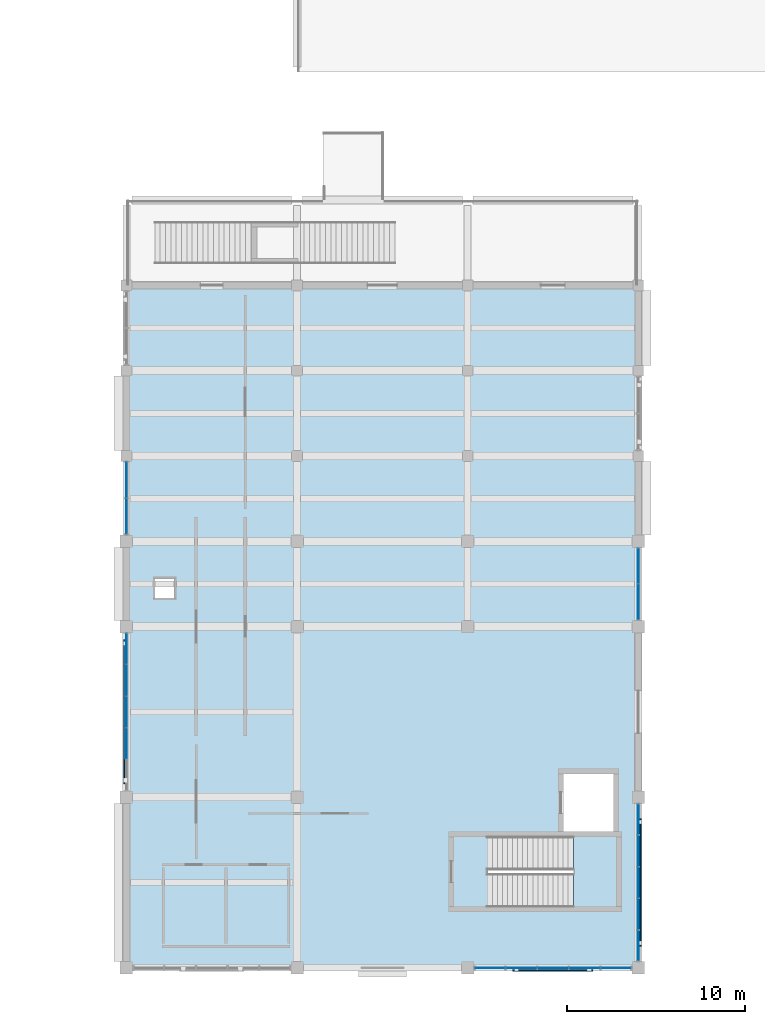
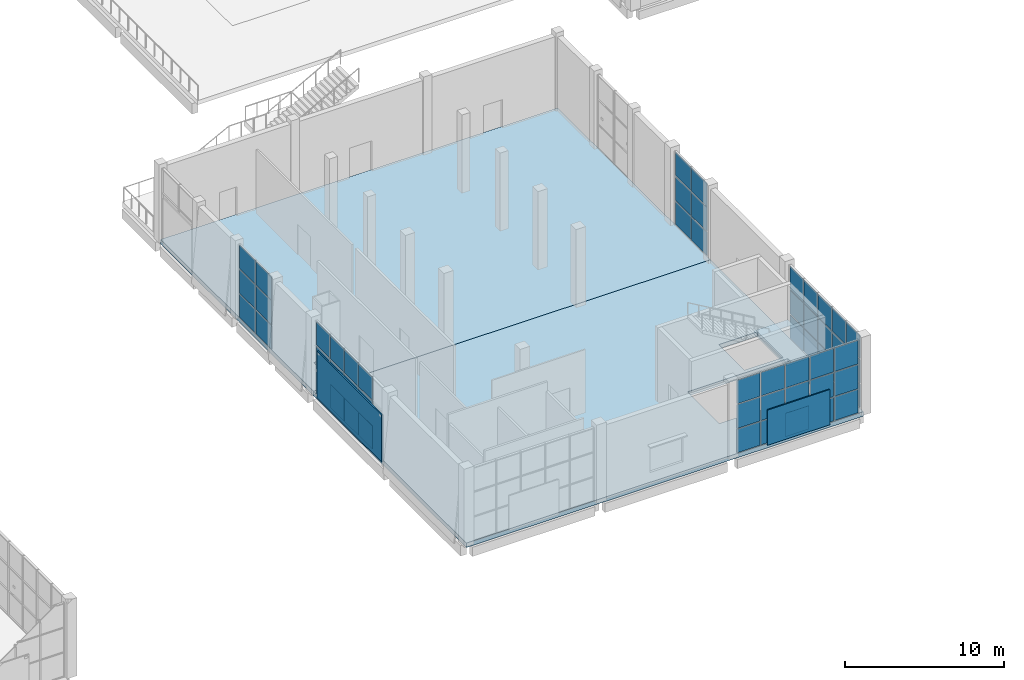
# One storey, part 43 of 84: 57 plates, 3 slabs, 6 elements without a shape of their own.
"""IFC4 building model written with IfcOpenShell, lengths in metres."""

from ifc_helpers import new_model, si_unit, direction, frame, origin, origin_2d, place, context, subcontext, project, spatial, polyline, rectangle, outline, extrude, material, layer, layer_set, type_object, element, aggregate, save


model = new_model("IFC4")

# Units and contexts
model_context = context("Model", 3, precision=1e-05, world=origin(), true_north=direction((0.0, 1.0)))
body_context = subcontext(model_context, "Body", "Model", "MODEL_VIEW")
ifc_project = project(units=[si_unit("LENGTHUNIT", "METRE"), si_unit("AREAUNIT", "SQUARE_METRE"), si_unit("VOLUMEUNIT", "CUBIC_METRE"), si_unit("PLANEANGLEUNIT", "RADIAN"), si_unit("MASSUNIT", "GRAM", prefix="KILO")], contexts=[model_context])

# Site, building, storey
site_placement = place(None, origin())
site = spatial("IfcSite", under=ifc_project, at=site_placement, CompositionType="ELEMENT")
building_placement = place(site_placement, origin())
building = spatial("IfcBuilding", under=site, at=building_placement, Name="Shalvenor Court Art Gallery", CompositionType="ELEMENT")
storey_placement = place(building_placement, origin())
storey = spatial("IfcBuildingStorey", under=building, at=storey_placement, Name="L00", CompositionType="ELEMENT", Elevation=0.0)

# Curtain wall, plates
ifc_material_1 = material(Name="Anodised aluminium and low-iron glass curtain wall", Category="aluminium")
curtain_wall_type_1 = type_object("IfcCurtainWallType", Name="CW-2x3-41-57-622", PredefinedType="USERDEFINED", material=ifc_material_1)
curtain_wall_1_placement = place(storey_placement, origin())
curtain_wall_1 = element("IfcCurtainWall", 1, at=curtain_wall_1_placement, inside=storey, type_object=curtain_wall_type_1, Name="L00 V3 Curtain Wall CW-L00-091", ObjectType="CURTAIN WALL", PredefinedType="USERDEFINED")
ifc_material_2 = material(Name="Low-iron triple-silver solar gallery glazing IGU", Category="glass")
ifc_layer_1 = layer(ifc_material_2, 0.031982421875, Name="Low-iron triple-silver solar gallery glazing IGU")
ifc_layer_set_1 = layer_set([ifc_layer_1], Name="Low-iron triple-silver solar gallery glazing IGU")
plate_type_1 = type_object("IfcPlateType", Name="CWP-02", PredefinedType="CURTAIN_PANEL", material=ifc_layer_set_1)
plate_1_placement = place(storey_placement, frame((124.800048828125, 22.611328125, 0.06494140625), z_axis=(0.0, 0.0, 1.0), x_axis=(0.0, -1.0, 0.0)))
plate_1 = element("IfcPlate", 2, at=plate_1_placement, type_object=plate_type_1, Name="CW-2x3-41-57-622 panel 1.1", PredefinedType="CURTAIN_PANEL", context=body_context, shape_type="SweptSolid", body=[
    extrude(rectangle(XDim=1.967529296875, YDim=0.031982421875, at=origin_2d()), origin(), (0.0, 0.0, 1.0), 1.7958984375),
])
plate_2_placement = place(storey_placement, frame((124.800048828125, 22.611328125, 1.92578125), z_axis=(0.0, 0.0, 1.0), x_axis=(0.0, -1.0, 0.0)))
plate_2 = element("IfcPlate", 3, at=plate_2_placement, type_object=plate_type_1, Name="CW-2x3-41-57-622 panel 1.2", PredefinedType="CURTAIN_PANEL", context=body_context, shape_type="SweptSolid", body=[
    extrude(rectangle(XDim=1.967529296875, YDim=0.031982421875, at=origin_2d()), origin(), (0.0, 0.0, 1.0), 1.828369140625),
])
plate_3_placement = place(storey_placement, frame((124.800048828125, 22.611328125, 3.819091796875), z_axis=(0.0, 0.0, 1.0), x_axis=(0.0, -1.0, 0.0)))
plate_3 = element("IfcPlate", 4, at=plate_3_placement, type_object=plate_type_1, Name="CW-2x3-41-57-622 panel 1.3", PredefinedType="CURTAIN_PANEL", context=body_context, shape_type="SweptSolid", body=[
    extrude(rectangle(XDim=1.967529296875, YDim=0.031982421875, at=origin_2d()), origin(), (0.0, 0.0, 1.0), 1.7958984375),
])
plate_4_placement = place(storey_placement, frame((124.800048828125, 20.5888671875, 0.06494140625), z_axis=(0.0, 0.0, 1.0), x_axis=(0.0, -1.0, 0.0)))
plate_4 = element("IfcPlate", 5, at=plate_4_placement, type_object=plate_type_1, Name="CW-2x3-41-57-622 panel 2.1", PredefinedType="CURTAIN_PANEL", context=body_context, shape_type="SweptSolid", body=[
    extrude(rectangle(XDim=1.967529296875, YDim=0.031982421875, at=origin_2d()), origin(), (0.0, 0.0, 1.0), 1.7958984375),
])
plate_5_placement = place(storey_placement, frame((124.800048828125, 20.5888671875, 1.92578125), z_axis=(0.0, 0.0, 1.0), x_axis=(0.0, -1.0, 0.0)))
plate_5 = element("IfcPlate", 6, at=plate_5_placement, type_object=plate_type_1, Name="CW-2x3-41-57-622 panel 2.2", PredefinedType="CURTAIN_PANEL", context=body_context, shape_type="SweptSolid", body=[
    extrude(rectangle(XDim=1.967529296875, YDim=0.031982421875, at=origin_2d()), origin(), (0.0, 0.0, 1.0), 1.828369140625),
])
plate_6_placement = place(storey_placement, frame((124.800048828125, 20.5888671875, 3.819091796875), z_axis=(0.0, 0.0, 1.0), x_axis=(0.0, -1.0, 0.0)))
plate_6 = element("IfcPlate", 7, at=plate_6_placement, type_object=plate_type_1, Name="CW-2x3-41-57-622 panel 2.3", PredefinedType="CURTAIN_PANEL", context=body_context, shape_type="SweptSolid", body=[
    extrude(rectangle(XDim=1.967529296875, YDim=0.031982421875, at=origin_2d()), origin(), (0.0, 0.0, 1.0), 1.7958984375),
])
aggregate(curtain_wall_1, [plate_1, plate_2, plate_3, plate_4, plate_5, plate_6])

ifc_material_3 = material(Name="Anodised aluminium and low-iron glass curtain wall", Category="aluminium")
curtain_wall_type_2 = type_object("IfcCurtainWallType", Name="CW-5x3-89-57-142", PredefinedType="USERDEFINED", material=ifc_material_3)
curtain_wall_2_placement = place(storey_placement, origin())
curtain_wall_2 = element("IfcCurtainWall", 8, at=curtain_wall_2_placement, inside=storey, type_object=curtain_wall_type_2, Name="L00 V3 Curtain Wall CW-L00-092", ObjectType="CURTAIN WALL", PredefinedType="USERDEFINED")
plate_7_placement = place(storey_placement, frame((124.800048828125, 8.34375, 0.06982421875), z_axis=(0.0, 0.0, 1.0), x_axis=(0.0, -1.0, 0.0)))
plate_7 = element("IfcPlate", 9, at=plate_7_placement, type_object=plate_type_1, Name="CW-5x3-89-57-142 panel 1.1", PredefinedType="CURTAIN_PANEL", context=body_context, shape_type="SweptSolid", body=[
    extrude(rectangle(XDim=1.6826171875, YDim=0.031982421875, at=origin_2d()), origin(), (0.0, 0.0, 1.0), 1.788330078125),
])
plate_8_placement = place(storey_placement, frame((124.800048828125, 8.34375, 1.928466796875), z_axis=(0.0, 0.0, 1.0), x_axis=(0.0, -1.0, 0.0)))
plate_8 = element("IfcPlate", 10, at=plate_8_placement, type_object=plate_type_1, Name="CW-5x3-89-57-142 panel 1.2", PredefinedType="CURTAIN_PANEL", context=body_context, shape_type="SweptSolid", body=[
    extrude(rectangle(XDim=1.6826171875, YDim=0.031982421875, at=origin_2d()), origin(), (0.0, 0.0, 1.0), 1.8232421875),
])
plate_9_placement = place(storey_placement, frame((124.800048828125, 8.34375, 3.82177734375), z_axis=(0.0, 0.0, 1.0), x_axis=(0.0, -1.0, 0.0)))
plate_9 = element("IfcPlate", 11, at=plate_9_placement, type_object=plate_type_1, Name="CW-5x3-89-57-142 panel 1.3", PredefinedType="CURTAIN_PANEL", context=body_context, shape_type="SweptSolid", body=[
    extrude(rectangle(XDim=1.6826171875, YDim=0.031982421875, at=origin_2d()), origin(), (0.0, 0.0, 1.0), 1.788330078125),
])
plate_10_placement = place(storey_placement, frame((124.800048828125, 6.580078125, 0.06982421875), z_axis=(0.0, 0.0, 1.0), x_axis=(0.0, -1.0, 0.0)))
plate_10 = element("IfcPlate", 12, at=plate_10_placement, type_object=plate_type_1, Name="CW-5x3-89-57-142 panel 2.1", PredefinedType="CURTAIN_PANEL", context=body_context, shape_type="SweptSolid", body=[
    extrude(rectangle(XDim=1.715087890625, YDim=0.031982421875, at=origin_2d()), origin(), (0.0, 0.0, 1.0), 1.788330078125),
])
plate_11_placement = place(storey_placement, frame((124.800048828125, 6.580078125, 1.928466796875), z_axis=(0.0, 0.0, 1.0), x_axis=(0.0, -1.0, 0.0)))
plate_11 = element("IfcPlate", 13, at=plate_11_placement, type_object=plate_type_1, Name="CW-5x3-89-57-142 panel 2.2", PredefinedType="CURTAIN_PANEL", context=body_context, shape_type="SweptSolid", body=[
    extrude(rectangle(XDim=1.715087890625, YDim=0.031982421875, at=origin_2d()), origin(), (0.0, 0.0, 1.0), 1.8232421875),
])
plate_12_placement = place(storey_placement, frame((124.800048828125, 6.580078125, 3.82177734375), z_axis=(0.0, 0.0, 1.0), x_axis=(0.0, -1.0, 0.0)))
plate_12 = element("IfcPlate", 14, at=plate_12_placement, type_object=plate_type_1, Name="CW-5x3-89-57-142 panel 2.3", PredefinedType="CURTAIN_PANEL", context=body_context, shape_type="SweptSolid", body=[
    extrude(rectangle(XDim=1.715087890625, YDim=0.031982421875, at=origin_2d()), origin(), (0.0, 0.0, 1.0), 1.788330078125),
])
plate_13_placement = place(storey_placement, frame((124.800048828125, 4.800048828125, 0.06982421875), z_axis=(0.0, 0.0, 1.0), x_axis=(0.0, -1.0, 0.0)))
plate_13 = element("IfcPlate", 15, at=plate_13_placement, type_object=plate_type_1, Name="CW-5x3-89-57-142 panel 3.1", PredefinedType="CURTAIN_PANEL", context=body_context, shape_type="SweptSolid", body=[
    extrude(rectangle(XDim=1.715087890625, YDim=0.031982421875, at=origin_2d()), origin(), (0.0, 0.0, 1.0), 1.788330078125),
])
plate_14_placement = place(storey_placement, frame((124.800048828125, 4.800048828125, 1.928466796875), z_axis=(0.0, 0.0, 1.0), x_axis=(0.0, -1.0, 0.0)))
plate_14 = element("IfcPlate", 16, at=plate_14_placement, type_object=plate_type_1, Name="CW-5x3-89-57-142 panel 3.2", PredefinedType="CURTAIN_PANEL", context=body_context, shape_type="SweptSolid", body=[
    extrude(rectangle(XDim=1.715087890625, YDim=0.031982421875, at=origin_2d()), origin(), (0.0, 0.0, 1.0), 1.8232421875),
])
plate_15_placement = place(storey_placement, frame((124.800048828125, 4.800048828125, 3.82177734375), z_axis=(0.0, 0.0, 1.0), x_axis=(0.0, -1.0, 0.0)))
plate_15 = element("IfcPlate", 17, at=plate_15_placement, type_object=plate_type_1, Name="CW-5x3-89-57-142 panel 3.3", PredefinedType="CURTAIN_PANEL", context=body_context, shape_type="SweptSolid", body=[
    extrude(rectangle(XDim=1.715087890625, YDim=0.031982421875, at=origin_2d()), origin(), (0.0, 0.0, 1.0), 1.788330078125),
])
plate_16_placement = place(storey_placement, frame((124.800048828125, 3.02001953125, 0.06982421875), z_axis=(0.0, 0.0, 1.0), x_axis=(0.0, -1.0, 0.0)))
plate_16 = element("IfcPlate", 18, at=plate_16_placement, type_object=plate_type_1, Name="CW-5x3-89-57-142 panel 4.1", PredefinedType="CURTAIN_PANEL", context=body_context, shape_type="SweptSolid", body=[
    extrude(rectangle(XDim=1.715087890625, YDim=0.031982421875, at=origin_2d()), origin(), (0.0, 0.0, 1.0), 1.788330078125),
])
plate_17_placement = place(storey_placement, frame((124.800048828125, 3.02001953125, 1.928466796875), z_axis=(0.0, 0.0, 1.0), x_axis=(0.0, -1.0, 0.0)))
plate_17 = element("IfcPlate", 19, at=plate_17_placement, type_object=plate_type_1, Name="CW-5x3-89-57-142 panel 4.2", PredefinedType="CURTAIN_PANEL", context=body_context, shape_type="SweptSolid", body=[
    extrude(rectangle(XDim=1.715087890625, YDim=0.031982421875, at=origin_2d()), origin(), (0.0, 0.0, 1.0), 1.8232421875),
])
plate_18_placement = place(storey_placement, frame((124.800048828125, 3.02001953125, 3.82177734375), z_axis=(0.0, 0.0, 1.0), x_axis=(0.0, -1.0, 0.0)))
plate_18 = element("IfcPlate", 20, at=plate_18_placement, type_object=plate_type_1, Name="CW-5x3-89-57-142 panel 4.3", PredefinedType="CURTAIN_PANEL", context=body_context, shape_type="SweptSolid", body=[
    extrude(rectangle(XDim=1.715087890625, YDim=0.031982421875, at=origin_2d()), origin(), (0.0, 0.0, 1.0), 1.788330078125),
])
plate_19_placement = place(storey_placement, frame((124.800048828125, 1.25634765625, 0.06982421875), z_axis=(0.0, 0.0, 1.0), x_axis=(0.0, -1.0, 0.0)))
plate_19 = element("IfcPlate", 21, at=plate_19_placement, type_object=plate_type_1, Name="CW-5x3-89-57-142 panel 5.1", PredefinedType="CURTAIN_PANEL", context=body_context, shape_type="SweptSolid", body=[
    extrude(rectangle(XDim=1.6826171875, YDim=0.031982421875, at=origin_2d()), origin(), (0.0, 0.0, 1.0), 1.788330078125),
])
plate_20_placement = place(storey_placement, frame((124.800048828125, 1.25634765625, 1.928466796875), z_axis=(0.0, 0.0, 1.0), x_axis=(0.0, -1.0, 0.0)))
plate_20 = element("IfcPlate", 22, at=plate_20_placement, type_object=plate_type_1, Name="CW-5x3-89-57-142 panel 5.2", PredefinedType="CURTAIN_PANEL", context=body_context, shape_type="SweptSolid", body=[
    extrude(rectangle(XDim=1.6826171875, YDim=0.031982421875, at=origin_2d()), origin(), (0.0, 0.0, 1.0), 1.8232421875),
])
plate_21_placement = place(storey_placement, frame((124.800048828125, 1.25634765625, 3.82177734375), z_axis=(0.0, 0.0, 1.0), x_axis=(0.0, -1.0, 0.0)))
plate_21 = element("IfcPlate", 23, at=plate_21_placement, type_object=plate_type_1, Name="CW-5x3-89-57-142 panel 5.3", PredefinedType="CURTAIN_PANEL", context=body_context, shape_type="SweptSolid", body=[
    extrude(rectangle(XDim=1.6826171875, YDim=0.031982421875, at=origin_2d()), origin(), (0.0, 0.0, 1.0), 1.788330078125),
])
aggregate(curtain_wall_2, [plate_7, plate_8, plate_9, plate_10, plate_11, plate_12, plate_13, plate_14, plate_15, plate_16, plate_17, plate_18, plate_19, plate_20, plate_21])

ifc_material_4 = material(Name="Anodised aluminium and low-iron glass curtain wall", Category="aluminium")
curtain_wall_type_3 = type_object("IfcCurtainWallType", Name="CW-5x3-89-57-212", PredefinedType="USERDEFINED", material=ifc_material_4)
curtain_wall_3_placement = place(storey_placement, origin())
curtain_wall_3 = element("IfcCurtainWall", 24, at=curtain_wall_3_placement, inside=storey, type_object=curtain_wall_type_3, Name="L00 V3 Curtain Wall CW-L00-093", ObjectType="CURTAIN WALL", PredefinedType="USERDEFINED")
plate_22_placement = place(storey_placement, frame((123.54248046875, 0.0, 0.06005859375), z_axis=(0.0, 0.0, 1.0), x_axis=(-1.0, 0.0, 0.0)))
plate_22 = element("IfcPlate", 25, at=plate_22_placement, type_object=plate_type_1, Name="CW-5x3-89-57-212 panel 1.1", PredefinedType="CURTAIN_PANEL", context=body_context, shape_type="SweptSolid", body=[
    extrude(rectangle(XDim=1.675048828125, YDim=0.031982421875, at=origin_2d()), origin(), (0.0, 0.0, 1.0), 1.80322265625),
])
plate_23_placement = place(storey_placement, frame((123.54248046875, 0.0, 1.92333984375), z_axis=(0.0, 0.0, 1.0), x_axis=(-1.0, 0.0, 0.0)))
plate_23 = element("IfcPlate", 26, at=plate_23_placement, type_object=plate_type_1, Name="CW-5x3-89-57-212 panel 1.2", PredefinedType="CURTAIN_PANEL", context=body_context, shape_type="SweptSolid", body=[
    extrude(rectangle(XDim=1.675048828125, YDim=0.031982421875, at=origin_2d()), origin(), (0.0, 0.0, 1.0), 1.833251953125),
])
plate_24_placement = place(storey_placement, frame((123.54248046875, 0.0, 3.816650390625), z_axis=(0.0, 0.0, 1.0), x_axis=(-1.0, 0.0, 0.0)))
plate_24 = element("IfcPlate", 27, at=plate_24_placement, type_object=plate_type_1, Name="CW-5x3-89-57-212 panel 1.3", PredefinedType="CURTAIN_PANEL", context=body_context, shape_type="SweptSolid", body=[
    extrude(rectangle(XDim=1.675048828125, YDim=0.031982421875, at=origin_2d()), origin(), (0.0, 0.0, 1.0), 1.80322265625),
])
plate_25_placement = place(storey_placement, frame((121.780029296875, 0.0, 0.06005859375), z_axis=(0.0, 0.0, 1.0), x_axis=(-1.0, 0.0, 0.0)))
plate_25 = element("IfcPlate", 28, at=plate_25_placement, type_object=plate_type_1, Name="CW-5x3-89-57-212 panel 2.1", PredefinedType="CURTAIN_PANEL", context=body_context, shape_type="SweptSolid", body=[
    extrude(rectangle(XDim=1.7099609375, YDim=0.031982421875, at=origin_2d()), origin(), (0.0, 0.0, 1.0), 1.80322265625),
])
plate_26_placement = place(storey_placement, frame((121.780029296875, 0.0, 1.92333984375), z_axis=(0.0, 0.0, 1.0), x_axis=(-1.0, 0.0, 0.0)))
plate_26 = element("IfcPlate", 29, at=plate_26_placement, type_object=plate_type_1, Name="CW-5x3-89-57-212 panel 2.2", PredefinedType="CURTAIN_PANEL", context=body_context, shape_type="SweptSolid", body=[
    extrude(rectangle(XDim=1.7099609375, YDim=0.031982421875, at=origin_2d()), origin(), (0.0, 0.0, 1.0), 1.833251953125),
])
plate_27_placement = place(storey_placement, frame((121.780029296875, 0.0, 3.816650390625), z_axis=(0.0, 0.0, 1.0), x_axis=(-1.0, 0.0, 0.0)))
plate_27 = element("IfcPlate", 30, at=plate_27_placement, type_object=plate_type_1, Name="CW-5x3-89-57-212 panel 2.3", PredefinedType="CURTAIN_PANEL", context=body_context, shape_type="SweptSolid", body=[
    extrude(rectangle(XDim=1.7099609375, YDim=0.031982421875, at=origin_2d()), origin(), (0.0, 0.0, 1.0), 1.80322265625),
])
plate_28_placement = place(storey_placement, frame((120.0, 0.0, 0.06005859375), z_axis=(0.0, 0.0, 1.0), x_axis=(-1.0, 0.0, 0.0)))
plate_28 = element("IfcPlate", 31, at=plate_28_placement, type_object=plate_type_1, Name="CW-5x3-89-57-212 panel 3.1", PredefinedType="CURTAIN_PANEL", context=body_context, shape_type="SweptSolid", body=[
    extrude(rectangle(XDim=1.7099609375, YDim=0.031982421875, at=origin_2d()), origin(), (0.0, 0.0, 1.0), 1.80322265625),
])
plate_29_placement = place(storey_placement, frame((120.0, 0.0, 1.92333984375), z_axis=(0.0, 0.0, 1.0), x_axis=(-1.0, 0.0, 0.0)))
plate_29 = element("IfcPlate", 32, at=plate_29_placement, type_object=plate_type_1, Name="CW-5x3-89-57-212 panel 3.2", PredefinedType="CURTAIN_PANEL", context=body_context, shape_type="SweptSolid", body=[
    extrude(rectangle(XDim=1.7099609375, YDim=0.031982421875, at=origin_2d()), origin(), (0.0, 0.0, 1.0), 1.833251953125),
])
plate_30_placement = place(storey_placement, frame((120.0, 0.0, 3.816650390625), z_axis=(0.0, 0.0, 1.0), x_axis=(-1.0, 0.0, 0.0)))
plate_30 = element("IfcPlate", 33, at=plate_30_placement, type_object=plate_type_1, Name="CW-5x3-89-57-212 panel 3.3", PredefinedType="CURTAIN_PANEL", context=body_context, shape_type="SweptSolid", body=[
    extrude(rectangle(XDim=1.7099609375, YDim=0.031982421875, at=origin_2d()), origin(), (0.0, 0.0, 1.0), 1.80322265625),
])
plate_31_placement = place(storey_placement, frame((118.219970703125, 0.0, 0.06005859375), z_axis=(0.0, 0.0, 1.0), x_axis=(-1.0, 0.0, 0.0)))
plate_31 = element("IfcPlate", 34, at=plate_31_placement, type_object=plate_type_1, Name="CW-5x3-89-57-212 panel 4.1", PredefinedType="CURTAIN_PANEL", context=body_context, shape_type="SweptSolid", body=[
    extrude(rectangle(XDim=1.7099609375, YDim=0.031982421875, at=origin_2d()), origin(), (0.0, 0.0, 1.0), 1.80322265625),
])
plate_32_placement = place(storey_placement, frame((118.219970703125, 0.0, 1.92333984375), z_axis=(0.0, 0.0, 1.0), x_axis=(-1.0, 0.0, 0.0)))
plate_32 = element("IfcPlate", 35, at=plate_32_placement, type_object=plate_type_1, Name="CW-5x3-89-57-212 panel 4.2", PredefinedType="CURTAIN_PANEL", context=body_context, shape_type="SweptSolid", body=[
    extrude(rectangle(XDim=1.7099609375, YDim=0.031982421875, at=origin_2d()), origin(), (0.0, 0.0, 1.0), 1.833251953125),
])
plate_33_placement = place(storey_placement, frame((118.219970703125, 0.0, 3.816650390625), z_axis=(0.0, 0.0, 1.0), x_axis=(-1.0, 0.0, 0.0)))
plate_33 = element("IfcPlate", 36, at=plate_33_placement, type_object=plate_type_1, Name="CW-5x3-89-57-212 panel 4.3", PredefinedType="CURTAIN_PANEL", context=body_context, shape_type="SweptSolid", body=[
    extrude(rectangle(XDim=1.7099609375, YDim=0.031982421875, at=origin_2d()), origin(), (0.0, 0.0, 1.0), 1.80322265625),
])
plate_34_placement = place(storey_placement, frame((116.45751953125, 0.0, 0.06005859375), z_axis=(0.0, 0.0, 1.0), x_axis=(-1.0, 0.0, 0.0)))
plate_34 = element("IfcPlate", 37, at=plate_34_placement, type_object=plate_type_1, Name="CW-5x3-89-57-212 panel 5.1", PredefinedType="CURTAIN_PANEL", context=body_context, shape_type="SweptSolid", body=[
    extrude(rectangle(XDim=1.675048828125, YDim=0.031982421875, at=origin_2d()), origin(), (0.0, 0.0, 1.0), 1.80322265625),
])
plate_35_placement = place(storey_placement, frame((116.45751953125, 0.0, 1.92333984375), z_axis=(0.0, 0.0, 1.0), x_axis=(-1.0, 0.0, 0.0)))
plate_35 = element("IfcPlate", 38, at=plate_35_placement, type_object=plate_type_1, Name="CW-5x3-89-57-212 panel 5.2", PredefinedType="CURTAIN_PANEL", context=body_context, shape_type="SweptSolid", body=[
    extrude(rectangle(XDim=1.675048828125, YDim=0.031982421875, at=origin_2d()), origin(), (0.0, 0.0, 1.0), 1.833251953125),
])
plate_36_placement = place(storey_placement, frame((116.45751953125, 0.0, 3.816650390625), z_axis=(0.0, 0.0, 1.0), x_axis=(-1.0, 0.0, 0.0)))
plate_36 = element("IfcPlate", 39, at=plate_36_placement, type_object=plate_type_1, Name="CW-5x3-89-57-212 panel 5.3", PredefinedType="CURTAIN_PANEL", context=body_context, shape_type="SweptSolid", body=[
    extrude(rectangle(XDim=1.675048828125, YDim=0.031982421875, at=origin_2d()), origin(), (0.0, 0.0, 1.0), 1.80322265625),
])
aggregate(curtain_wall_3, [plate_22, plate_23, plate_24, plate_25, plate_26, plate_27, plate_28, plate_29, plate_30, plate_31, plate_32, plate_33, plate_34, plate_35, plate_36])

ifc_material_5 = material(Name="Anodised aluminium and low-iron glass curtain wall", Category="aluminium")
curtain_wall_type_4 = type_object("IfcCurtainWallType", Name="CW-5x3-89-57-642", PredefinedType="USERDEFINED", material=ifc_material_5)
curtain_wall_4_placement = place(storey_placement, origin())
curtain_wall_4 = element("IfcCurtainWall", 40, at=curtain_wall_4_placement, inside=storey, type_object=curtain_wall_type_4, Name="L00 V3 Curtain Wall CW-L00-095", ObjectType="CURTAIN WALL", PredefinedType="USERDEFINED")
plate_37_placement = place(storey_placement, frame((96.0, 12.6201171875, 0.06982421875), z_axis=(0.0, 0.0, 1.0), x_axis=(0.0, 1.0, 0.0)))
plate_37 = element("IfcPlate", 41, at=plate_37_placement, type_object=plate_type_1, Name="CW-5x3-89-57-642 panel 2.1", PredefinedType="CURTAIN_PANEL", context=body_context, shape_type="SweptSolid", body=[
    extrude(rectangle(XDim=1.72509765625, YDim=0.031982421875, at=origin_2d()), origin(), (0.0, 0.0, 1.0), 1.788330078125),
])
plate_38_placement = place(storey_placement, frame((96.0, 12.6201171875, 1.928466796875), z_axis=(0.0, 0.0, 1.0), x_axis=(0.0, 1.0, 0.0)))
plate_38 = element("IfcPlate", 42, at=plate_38_placement, type_object=plate_type_1, Name="CW-5x3-89-57-642 panel 2.2", PredefinedType="CURTAIN_PANEL", context=body_context, shape_type="SweptSolid", body=[
    extrude(rectangle(XDim=1.72509765625, YDim=0.031982421875, at=origin_2d()), origin(), (0.0, 0.0, 1.0), 1.8232421875),
])
plate_39_placement = place(storey_placement, frame((96.0, 12.6201171875, 3.82177734375), z_axis=(0.0, 0.0, 1.0), x_axis=(0.0, 1.0, 0.0)))
plate_39 = element("IfcPlate", 43, at=plate_39_placement, type_object=plate_type_1, Name="CW-5x3-89-57-642 panel 2.3", PredefinedType="CURTAIN_PANEL", context=body_context, shape_type="SweptSolid", body=[
    extrude(rectangle(XDim=1.72509765625, YDim=0.031982421875, at=origin_2d()), origin(), (0.0, 0.0, 1.0), 1.788330078125),
])
plate_40_placement = place(storey_placement, frame((96.0, 14.39990234375, 0.06982421875), z_axis=(0.0, 0.0, 1.0), x_axis=(0.0, 1.0, 0.0)))
plate_40 = element("IfcPlate", 44, at=plate_40_placement, type_object=plate_type_1, Name="CW-5x3-89-57-642 panel 3.1", PredefinedType="CURTAIN_PANEL", context=body_context, shape_type="SweptSolid", body=[
    extrude(rectangle(XDim=1.72509765625, YDim=0.031982421875, at=origin_2d()), origin(), (0.0, 0.0, 1.0), 1.788330078125),
])
plate_41_placement = place(storey_placement, frame((96.0, 14.39990234375, 1.928466796875), z_axis=(0.0, 0.0, 1.0), x_axis=(0.0, 1.0, 0.0)))
plate_41 = element("IfcPlate", 45, at=plate_41_placement, type_object=plate_type_1, Name="CW-5x3-89-57-642 panel 3.2", PredefinedType="CURTAIN_PANEL", context=body_context, shape_type="SweptSolid", body=[
    extrude(rectangle(XDim=1.72509765625, YDim=0.031982421875, at=origin_2d()), origin(), (0.0, 0.0, 1.0), 1.8232421875),
])
plate_42_placement = place(storey_placement, frame((96.0, 14.39990234375, 3.82177734375), z_axis=(0.0, 0.0, 1.0), x_axis=(0.0, 1.0, 0.0)))
plate_42 = element("IfcPlate", 46, at=plate_42_placement, type_object=plate_type_1, Name="CW-5x3-89-57-642 panel 3.3", PredefinedType="CURTAIN_PANEL", context=body_context, shape_type="SweptSolid", body=[
    extrude(rectangle(XDim=1.72509765625, YDim=0.031982421875, at=origin_2d()), origin(), (0.0, 0.0, 1.0), 1.788330078125),
])
plate_43_placement = place(storey_placement, frame((96.0, 16.179931640625, 0.06982421875), z_axis=(0.0, 0.0, 1.0), x_axis=(0.0, 1.0, 0.0)))
plate_43 = element("IfcPlate", 47, at=plate_43_placement, type_object=plate_type_1, Name="CW-5x3-89-57-642 panel 4.1", PredefinedType="CURTAIN_PANEL", context=body_context, shape_type="SweptSolid", body=[
    extrude(rectangle(XDim=1.72509765625, YDim=0.031982421875, at=origin_2d()), origin(), (0.0, 0.0, 1.0), 1.788330078125),
])
plate_44_placement = place(storey_placement, frame((96.0, 16.179931640625, 1.928466796875), z_axis=(0.0, 0.0, 1.0), x_axis=(0.0, 1.0, 0.0)))
plate_44 = element("IfcPlate", 48, at=plate_44_placement, type_object=plate_type_1, Name="CW-5x3-89-57-642 panel 4.2", PredefinedType="CURTAIN_PANEL", context=body_context, shape_type="SweptSolid", body=[
    extrude(rectangle(XDim=1.72509765625, YDim=0.031982421875, at=origin_2d()), origin(), (0.0, 0.0, 1.0), 1.8232421875),
])
plate_45_placement = place(storey_placement, frame((96.0, 16.179931640625, 3.82177734375), z_axis=(0.0, 0.0, 1.0), x_axis=(0.0, 1.0, 0.0)))
plate_45 = element("IfcPlate", 49, at=plate_45_placement, type_object=plate_type_1, Name="CW-5x3-89-57-642 panel 4.3", PredefinedType="CURTAIN_PANEL", context=body_context, shape_type="SweptSolid", body=[
    extrude(rectangle(XDim=1.72509765625, YDim=0.031982421875, at=origin_2d()), origin(), (0.0, 0.0, 1.0), 1.788330078125),
])
plate_46_placement = place(storey_placement, frame((96.0, 17.9462890625, 0.06982421875), z_axis=(0.0, 0.0, 1.0), x_axis=(0.0, 1.0, 0.0)))
plate_46 = element("IfcPlate", 50, at=plate_46_placement, type_object=plate_type_1, Name="CW-5x3-89-57-642 panel 5.1", PredefinedType="CURTAIN_PANEL", context=body_context, shape_type="SweptSolid", body=[
    extrude(rectangle(XDim=1.697509765625, YDim=0.031982421875, at=origin_2d()), origin(), (0.0, 0.0, 1.0), 1.788330078125),
])
plate_47_placement = place(storey_placement, frame((96.0, 17.9462890625, 1.928466796875), z_axis=(0.0, 0.0, 1.0), x_axis=(0.0, 1.0, 0.0)))
plate_47 = element("IfcPlate", 51, at=plate_47_placement, type_object=plate_type_1, Name="CW-5x3-89-57-642 panel 5.2", PredefinedType="CURTAIN_PANEL", context=body_context, shape_type="SweptSolid", body=[
    extrude(rectangle(XDim=1.697509765625, YDim=0.031982421875, at=origin_2d()), origin(), (0.0, 0.0, 1.0), 1.8232421875),
])
plate_48_placement = place(storey_placement, frame((96.0, 17.9462890625, 3.82177734375), z_axis=(0.0, 0.0, 1.0), x_axis=(0.0, 1.0, 0.0)))
plate_48 = element("IfcPlate", 52, at=plate_48_placement, type_object=plate_type_1, Name="CW-5x3-89-57-642 panel 5.3", PredefinedType="CURTAIN_PANEL", context=body_context, shape_type="SweptSolid", body=[
    extrude(rectangle(XDim=1.697509765625, YDim=0.031982421875, at=origin_2d()), origin(), (0.0, 0.0, 1.0), 1.788330078125),
])
aggregate(curtain_wall_4, [plate_37, plate_38, plate_39, plate_40, plate_41, plate_42, plate_43, plate_44, plate_45, plate_46, plate_47, plate_48])

ifc_material_6 = material(Name="Anodised aluminium and low-iron glass curtain wall", Category="aluminium")
curtain_wall_type_5 = type_object("IfcCurtainWallType", Name="CW-2x3-42-57-112", PredefinedType="USERDEFINED", material=ifc_material_6)
curtain_wall_5_placement = place(storey_placement, origin())
curtain_wall_5 = element("IfcCurtainWall", 53, at=curtain_wall_5_placement, inside=storey, type_object=curtain_wall_type_5, Name="L00 V3 Curtain Wall CW-L00-096", ObjectType="CURTAIN WALL", PredefinedType="USERDEFINED")
plate_49_placement = place(storey_placement, frame((96.0, 25.40380859375, 0.06005859375), z_axis=(0.0, 0.0, 1.0), x_axis=(0.0, 1.0, 0.0)))
plate_49 = element("IfcPlate", 54, at=plate_49_placement, type_object=plate_type_1, Name="CW-2x3-42-57-112 panel 1.1", PredefinedType="CURTAIN_PANEL", context=body_context, shape_type="SweptSolid", body=[
    extrude(rectangle(XDim=1.9775390625, YDim=0.031982421875, at=origin_2d()), origin(), (0.0, 0.0, 1.0), 1.80322265625),
])
plate_50_placement = place(storey_placement, frame((96.0, 25.40380859375, 1.92333984375), z_axis=(0.0, 0.0, 1.0), x_axis=(0.0, 1.0, 0.0)))
plate_50 = element("IfcPlate", 55, at=plate_50_placement, type_object=plate_type_1, Name="CW-2x3-42-57-112 panel 1.2", PredefinedType="CURTAIN_PANEL", context=body_context, shape_type="SweptSolid", body=[
    extrude(rectangle(XDim=1.9775390625, YDim=0.031982421875, at=origin_2d()), origin(), (0.0, 0.0, 1.0), 1.833251953125),
])
plate_51_placement = place(storey_placement, frame((96.0, 25.40380859375, 3.816650390625), z_axis=(0.0, 0.0, 1.0), x_axis=(0.0, 1.0, 0.0)))
plate_51 = element("IfcPlate", 56, at=plate_51_placement, type_object=plate_type_1, Name="CW-2x3-42-57-112 panel 1.3", PredefinedType="CURTAIN_PANEL", context=body_context, shape_type="SweptSolid", body=[
    extrude(rectangle(XDim=1.9775390625, YDim=0.031982421875, at=origin_2d()), origin(), (0.0, 0.0, 1.0), 1.80322265625),
])
plate_52_placement = place(storey_placement, frame((96.0, 27.4462890625, 0.06005859375), z_axis=(0.0, 0.0, 1.0), x_axis=(0.0, 1.0, 0.0)))
plate_52 = element("IfcPlate", 57, at=plate_52_placement, type_object=plate_type_1, Name="CW-2x3-42-57-112 panel 2.1", PredefinedType="CURTAIN_PANEL", context=body_context, shape_type="SweptSolid", body=[
    extrude(rectangle(XDim=1.9775390625, YDim=0.031982421875, at=origin_2d()), origin(), (0.0, 0.0, 1.0), 1.80322265625),
])
plate_53_placement = place(storey_placement, frame((96.0, 27.4462890625, 1.92333984375), z_axis=(0.0, 0.0, 1.0), x_axis=(0.0, 1.0, 0.0)))
plate_53 = element("IfcPlate", 58, at=plate_53_placement, type_object=plate_type_1, Name="CW-2x3-42-57-112 panel 2.2", PredefinedType="CURTAIN_PANEL", context=body_context, shape_type="SweptSolid", body=[
    extrude(rectangle(XDim=1.9775390625, YDim=0.031982421875, at=origin_2d()), origin(), (0.0, 0.0, 1.0), 1.833251953125),
])
plate_54_placement = place(storey_placement, frame((96.0, 27.4462890625, 3.816650390625), z_axis=(0.0, 0.0, 1.0), x_axis=(0.0, 1.0, 0.0)))
plate_54 = element("IfcPlate", 59, at=plate_54_placement, type_object=plate_type_1, Name="CW-2x3-42-57-112 panel 2.3", PredefinedType="CURTAIN_PANEL", context=body_context, shape_type="SweptSolid", body=[
    extrude(rectangle(XDim=1.9775390625, YDim=0.031982421875, at=origin_2d()), origin(), (0.0, 0.0, 1.0), 1.80322265625),
])
aggregate(curtain_wall_5, [plate_49, plate_50, plate_51, plate_52, plate_53, plate_54])

# Slabs
ifc_material_7 = material(Name="Concrete C40/50", Category="concrete")
ifc_layer_2 = layer(ifc_material_7, 0.340087890625, Name="Concrete C40/50")
ifc_layer_set_2 = layer_set([ifc_layer_2], Name="Concrete C40/50")
slab_type_1 = type_object("IfcSlabType", Name="FS-340", PredefinedType="FLOOR", material=ifc_layer_set_2)
slab_1_placement = place(storey_placement, frame((0.0, 0.0, -0.340087890625)))
element("IfcSlab", 60, at=slab_1_placement, inside=storey, type_object=slab_type_1, Name="L00 V3 Floor Slab 1", PredefinedType="FLOOR", context=body_context, shape_type="SweptSolid", body=[
    extrude(outline(polyline([(124.800048828125, 0.0), (96.0, 0.0), (96.0, 19.199951171875), (124.800048828125, 19.199951171875), (124.800048828125, 0.0)]), holes=[polyline([(116.31103515625, 3.39990234375), (123.60009765625, 3.39990234375), (123.60009765625, 7.39990234375), (116.31103515625, 7.39990234375), (116.31103515625, 3.39990234375)]), polyline([(120.60009765625, 10.89990234375), (120.60009765625, 7.672119140625), (123.39990234375, 7.672119140625), (123.39990234375, 10.89990234375), (120.60009765625, 10.89990234375)])]), origin(), (0.0, 0.0, 1.0), 0.340087890625),
])
slab_2_placement = place(storey_placement, frame((0.0, 0.0, -0.340087890625)))
element("IfcSlab", 61, at=slab_2_placement, inside=storey, type_object=slab_type_1, Name="L00 V3 Floor Slab 2", PredefinedType="FLOOR", context=body_context, shape_type="SweptSolid", body=[
    extrude(outline(polyline([(124.800048828125, 38.39990234375), (124.800048828125, 19.199951171875), (96.0, 19.199951171875), (96.0, 38.39990234375), (124.800048828125, 38.39990234375)]), holes=[polyline([(97.60009765625, 20.800048828125), (98.699951171875, 20.800048828125), (98.699951171875, 21.89990234375), (97.60009765625, 21.89990234375), (97.60009765625, 20.800048828125)])]), origin(), (0.0, 0.0, 1.0), 0.340087890625),
])

# Plates
ifc_material_8 = material(Name="Perforated pale limestone GRC lattice", Category="masonry")
ifc_layer_3 = layer(ifc_material_8, 0.090087890625, Name="Perforated pale limestone GRC lattice")
ifc_layer_set_3 = layer_set([ifc_layer_3], Name="Perforated pale limestone GRC lattice")
plate_type_2 = type_object("IfcPlateType", Name="SCR-08", PredefinedType="USERDEFINED", material=ifc_layer_set_3)
plate_55_placement = place(storey_placement, frame((124.93310546875, 4.800048828125, 0.0), z_axis=(0.0, 0.0, 1.0), x_axis=(0.0, -1.0, 0.0)))
element("IfcPlate", 62, at=plate_55_placement, inside=storey, type_object=plate_type_2, Name="L00 V3 Perforated Stone Lattice Screen PLT-SCR-0078", ObjectType="SCREEN", PredefinedType="USERDEFINED", context=body_context, shape_type="SweptSolid", body=[
    extrude(rectangle(XDim=7.199951171875, YDim=0.090087890625, at=origin_2d()), origin(), (0.0, 0.0, 1.0), 4.5),
])
ifc_material_9 = material(Name="Perforated pale limestone GRC lattice", Category="masonry")
ifc_layer_4 = layer(ifc_material_9, 0.090087890625, Name="Perforated pale limestone GRC lattice")
ifc_layer_set_4 = layer_set([ifc_layer_4], Name="Perforated pale limestone GRC lattice")
plate_type_3 = type_object("IfcPlateType", Name="SCR-09", PredefinedType="USERDEFINED", material=ifc_layer_set_4)
plate_56_placement = place(storey_placement, frame((120.0, -0.14306640625, 0.0), z_axis=(0.0, 0.0, 1.0), x_axis=(-1.0, 0.0, 0.0)))
element("IfcPlate", 63, at=plate_56_placement, inside=storey, type_object=plate_type_3, Name="L00 V3 Perforated Stone Lattice Screen PLT-SCR-0079", ObjectType="SCREEN", PredefinedType="USERDEFINED", context=body_context, shape_type="SweptSolid", body=[
    extrude(rectangle(XDim=4.5, YDim=0.090087890625, at=origin_2d()), origin(), (0.0, 0.0, 1.0), 2.699951171875),
])
ifc_material_10 = material(Name="Perforated pale limestone GRC lattice", Category="masonry")
ifc_layer_5 = layer(ifc_material_10, 0.094970703125, Name="Perforated pale limestone GRC lattice")
ifc_layer_set_5 = layer_set([ifc_layer_5], Name="Perforated pale limestone GRC lattice")
plate_type_4 = type_object("IfcPlateType", Name="SCR-11", PredefinedType="USERDEFINED", material=ifc_layer_set_5)
plate_57_placement = place(storey_placement, frame((95.884521484375, 14.39990234375, 0.0), z_axis=(0.0, 0.0, 1.0), x_axis=(0.0, 1.0, 0.0)))
element("IfcPlate", 64, at=plate_57_placement, inside=storey, type_object=plate_type_4, Name="L00 V3 Perforated Stone Lattice Screen PLT-SCR-0081", ObjectType="SCREEN", PredefinedType="USERDEFINED", context=body_context, shape_type="SweptSolid", body=[
    extrude(rectangle(XDim=8.10009765625, YDim=0.094970703125, at=origin_2d()), origin(), (0.0, 0.0, 1.0), 3.60009765625),
])

# Stair, slab
ifc_material_11 = material(Name="Concrete C40/50", Category="concrete")
stair_type = type_object("IfcStairType", Name="ST-DL-36R-1900", PredefinedType="HALF_TURN_STAIR", material=ifc_material_11)
stair_placement = place(storey_placement, origin())
stair = element("IfcStair", 65, at=stair_placement, inside=storey, type_object=stair_type, Name="L00 Core Dogleg Stair ST-04", PredefinedType="HALF_TURN_STAIR")
ifc_material_12 = material(Name="Concrete C40/50", Category="concrete")
ifc_layer_6 = layer(ifc_material_12, 0.300048828125, Name="Concrete C40/50")
ifc_layer_set_6 = layer_set([ifc_layer_6], Name="Concrete C40/50")
slab_type_2 = type_object("IfcSlabType", Name="SLD-300", PredefinedType="LANDING", material=ifc_layer_set_6)
slab_3_placement = place(storey_placement, frame((0.0, 0.0, 2.699951171875)))
slab_3 = element("IfcSlab", 66, at=slab_3_placement, type_object=slab_type_2, Name="ST-DL-36R-1900 landing 1", PredefinedType="LANDING", context=body_context, shape_type="SweptSolid", body=[
    extrude(outline(polyline([(121.14501953125, 3.39990234375), (123.60009765625, 3.39990234375), (123.60009765625, 7.39990234375), (121.14501953125, 7.39990234375), (121.14501953125, 3.39990234375)])), origin(), (0.0, 0.0, 1.0), 0.300048828125),
])
aggregate(stair, [slab_3])

save(model, "model.ifc")
